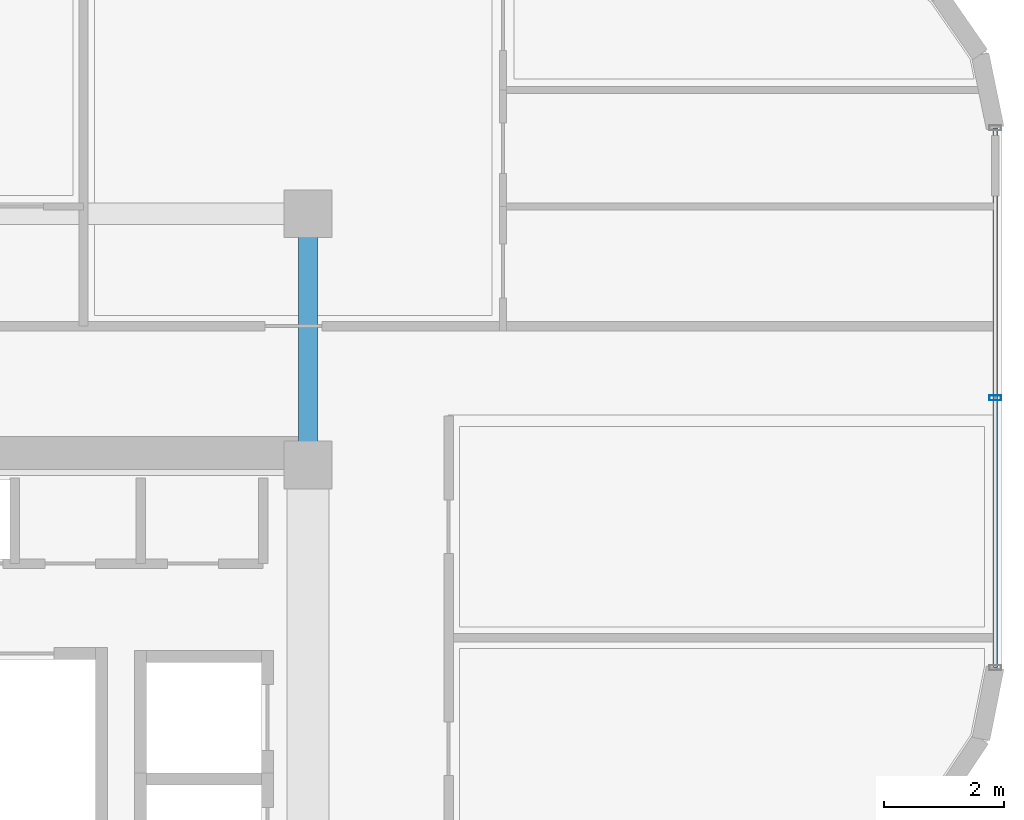
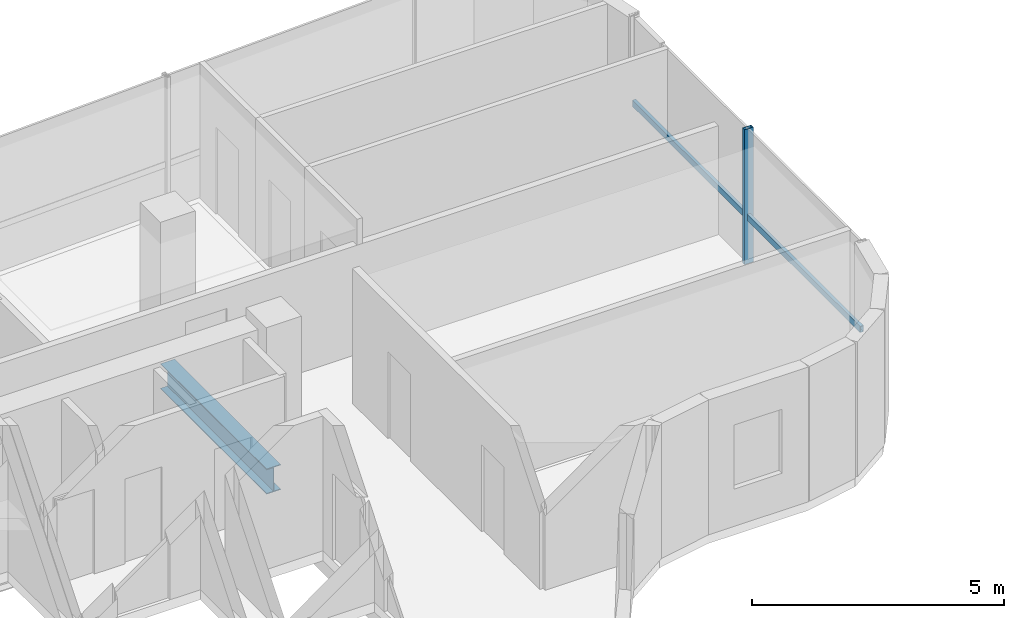
# One storey, part 11 of 21: 2 members, 1 beam, 1 element without a shape of its own.
"""IFC4 building model written with IfcOpenShell, lengths in metres."""

from ifc_helpers import new_model, si_unit, direction, frame, origin, origin_2d, place, context, subcontext, project, spatial, hollow_rectangle, i_section, extrude, source, transform, mapped, material, material_profile, profile_set, type_object, element, aggregate, save


model = new_model("IFC4")

# Units and contexts
model_context = context("Model", 3, precision=1e-05, world=origin(), true_north=direction((0.0, 1.0)))
body_context = subcontext(model_context, "Body", "Model", "MODEL_VIEW")
ifc_project = project(units=[si_unit("LENGTHUNIT", "METRE"), si_unit("AREAUNIT", "SQUARE_METRE"), si_unit("VOLUMEUNIT", "CUBIC_METRE"), si_unit("PLANEANGLEUNIT", "RADIAN"), si_unit("MASSUNIT", "GRAM", prefix="KILO")], contexts=[model_context])

# Site, building, storey
site_placement = place(None, origin())
site = spatial("IfcSite", under=ifc_project, at=site_placement, CompositionType="ELEMENT")
building_placement = place(site_placement, origin())
building = spatial("IfcBuilding", under=site, at=building_placement, Name="Valdorenza Pilgrim Sanctuary Tower", CompositionType="ELEMENT")
storey_placement = place(building_placement, frame((0.0, 0.0, 251.0)))
storey = spatial("IfcBuildingStorey", under=building, at=storey_placement, Name="L65", CompositionType="ELEMENT", Elevation=251.0)

# Beam
ifc_material_1 = material(Name="Steel ASTM A992 Grade 50", Category="steel")
ifc_material_profile_1 = material_profile(ifc_material_1, i_section(OverallWidth=0.323974609375, OverallDepth=0.611083984375, WebThickness=0.0126953125, FlangeThickness=0.01904296875, at=origin_2d()), Name="W24X104")
ifc_profile_set_1 = profile_set([ifc_material_profile_1], Name="Steel ASTM A992 Grade 50")
beam_type = type_object("IfcBeamType", Name="STR-BM-GRD-W24B", PredefinedType="BEAM", material=ifc_profile_set_1)
shared_shape_1 = source(origin(), body_context, "Body", "SweptSolid", [
    extrude(i_section(OverallWidth=0.323974609375, OverallDepth=0.611083984375, WebThickness=0.0126953125, FlangeThickness=0.01904296875, at=origin_2d()), origin(), (0.0, 0.0, 1.0), 4.199951171875),
])
beam_placement = place(storey_placement, frame((-12.39990234375, 10.60009765625, -0.54541015625), z_axis=(0.0, 1.0, 0.0), x_axis=(-1.0, 0.0, 0.0)))
element("IfcBeam", 1, at=beam_placement, inside=storey, type_object=beam_type, Name="L65 Core Tie Girder CA-E-N1N2", PredefinedType="BEAM", context=body_context, shape_type="MappedRepresentation", body=[
    mapped(shared_shape_1, transform((0.0, 0.0, 0.0), x_axis=(1.0, 0.0, 0.0), y_axis=(0.0, 1.0, 0.0), z_axis=(0.0, 0.0, 1.0), scale=1.0)),
])

# Curtain wall, members
ifc_material_2 = material(Name="Curtain-wall IGU glazing", Category="glass")
curtain_wall_type = type_object("IfcCurtainWallType", Name="CW-SYS-02", PredefinedType="NOTDEFINED", material=ifc_material_2)
curtain_wall_placement = place(storey_placement, origin())
curtain_wall = element("IfcCurtainWall", 2, at=curtain_wall_placement, inside=storey, type_object=curtain_wall_type, Name="L65 Curtain Wall CW-L65-1-11", PredefinedType="NOTDEFINED")
ifc_material_3 = material(Name="Anodised aluminium AW-6060", Category="aluminium")
ifc_material_profile_2 = material_profile(ifc_material_3, hollow_rectangle(XDim=0.0849609375, YDim=0.199951171875, WallThickness=0.0048828125, at=origin_2d()), Name="ALU-M 200x85x5")
ifc_profile_set_2 = profile_set([ifc_material_profile_2], Name="Anodised aluminium AW-6060")
member_type_1 = type_object("IfcMemberType", Name="CW-MUL-02", PredefinedType="MULLION", material=ifc_profile_set_2)
shared_shape_2 = source(origin(), body_context, "Body", "SweptSolid", [
    extrude(hollow_rectangle(XDim=0.0849609375, YDim=0.199951171875, WallThickness=0.0048828125, at=origin_2d()), origin(), (0.0, 0.0, 1.0), 3.260009765625),
])
member_1_placement = place(storey_placement, frame((-0.909912109375, 11.72265625, 0.0), z_axis=(0.0, 0.0, 1.0), x_axis=(0.0, -1.0, 0.0)))
member_1 = element("IfcMember", 3, at=member_1_placement, type_object=member_type_1, Name="CW-L65-1-11 Mullion 2", PredefinedType="MULLION", context=body_context, shape_type="MappedRepresentation", body=[
    mapped(shared_shape_2, transform((0.0, 0.0, 0.0), x_axis=(1.0, 0.0, 0.0), y_axis=(0.0, 1.0, 0.0), z_axis=(0.0, 0.0, 1.0), scale=1.0)),
])
ifc_material_profile_3 = material_profile(ifc_material_3, hollow_rectangle(XDim=0.074951171875, YDim=0.14990234375, WallThickness=0.00390625, at=origin_2d()), Name="ALU-T 150x75x4")
ifc_profile_set_3 = profile_set([ifc_material_profile_3], Name="Anodised aluminium AW-6060")
member_type_2 = type_object("IfcMemberType", Name="CW-TRN-02", PredefinedType="USERDEFINED", material=ifc_profile_set_3)
shared_shape_3 = source(origin(), body_context, "Body", "SweptSolid", [
    extrude(hollow_rectangle(XDim=0.074951171875, YDim=0.14990234375, WallThickness=0.00390625, at=origin_2d()), origin(), (0.0, 0.0, 1.0), 9.023681640625),
])
member_2_placement = place(storey_placement, frame((-0.909912109375, 16.234375, 1.1201171875), z_axis=(0.0, -1.0, 0.0), x_axis=(1.0, 0.0, 0.0)))
member_2 = element("IfcMember", 4, at=member_2_placement, type_object=member_type_2, Name="CW-L65-1-11 Transom 1", ObjectType="TRANSOM", PredefinedType="USERDEFINED", context=body_context, shape_type="MappedRepresentation", body=[
    mapped(shared_shape_3, transform((0.0, 0.0, 0.0), x_axis=(1.0, 0.0, 0.0), y_axis=(0.0, 1.0, 0.0), z_axis=(0.0, 0.0, 1.0), scale=1.0)),
])
aggregate(curtain_wall, [member_1, member_2])

save(model, "model.ifc")
